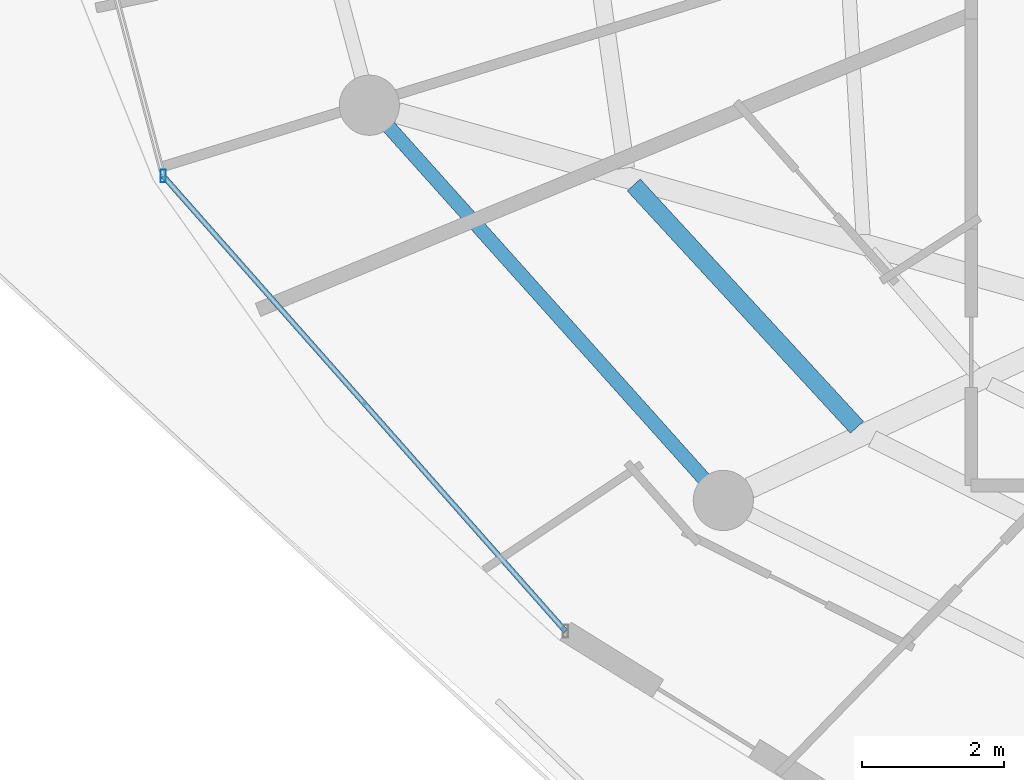
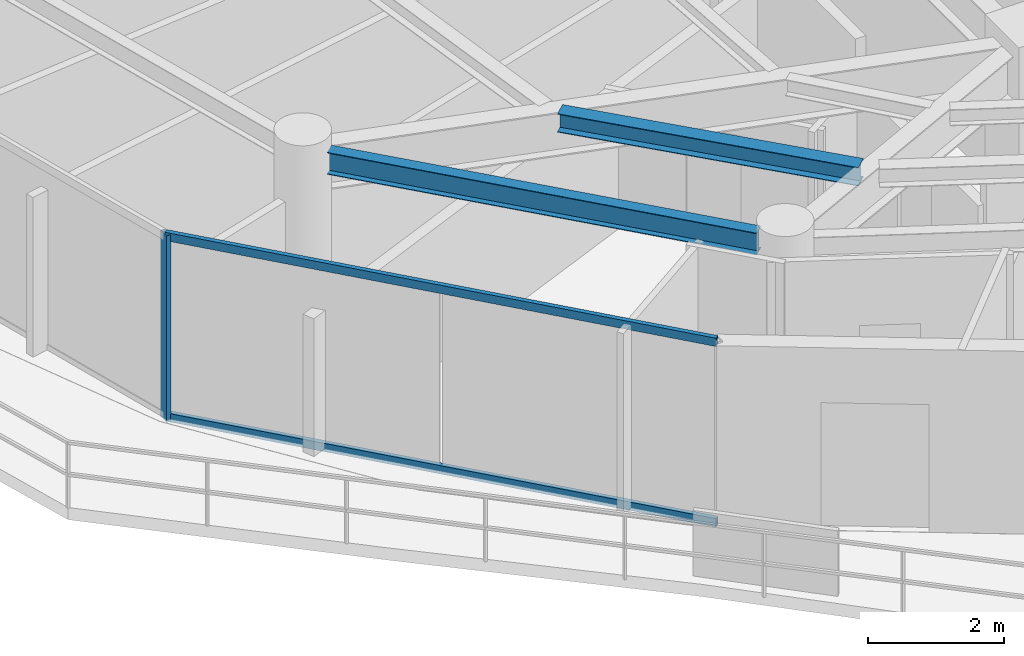
# One storey, part 3 of 31: 3 members, 2 beams, 1 element without a shape of its own.
"""IFC4 building model written with IfcOpenShell, lengths in metres."""

from ifc_helpers import new_model, si_unit, direction, frame, origin, origin_2d, place, context, subcontext, project, spatial, hollow_rectangle, i_section, extrude, material, material_profile, profile_set, type_object, element, aggregate, save


model = new_model("IFC4")

# Units and contexts
model_context = context("Model", 3, precision=1e-05, world=origin(), true_north=direction((0.0, 1.0)))
body_context = subcontext(model_context, "Body", "Model", "MODEL_VIEW")
ifc_project = project(units=[si_unit("LENGTHUNIT", "METRE"), si_unit("AREAUNIT", "SQUARE_METRE"), si_unit("VOLUMEUNIT", "CUBIC_METRE"), si_unit("PLANEANGLEUNIT", "RADIAN"), si_unit("MASSUNIT", "GRAM", prefix="KILO")], contexts=[model_context])

# Site, building, storey
site_placement = place(None, origin())
site = spatial("IfcSite", under=ifc_project, at=site_placement, CompositionType="ELEMENT")
building_placement = place(site_placement, origin())
building = spatial("IfcBuilding", under=site, at=building_placement, Name="Vorneva Point Tower", CompositionType="ELEMENT")
storey_placement = place(building_placement, frame((0.0, 0.0, 266.199951171875)))
storey = spatial("IfcBuildingStorey", under=building, at=storey_placement, Name="L72", CompositionType="ELEMENT", Elevation=266.199951171875)

# Beams
ifc_material_1 = material(Name="Steel S355", Category="steel")
ifc_material_profile_1 = material_profile(ifc_material_1, i_section(OverallWidth=0.2490234375, OverallDepth=0.333984375, WebThickness=0.008056640625, FlangeThickness=0.010986328125, at=origin_2d()), Name="35Sh1")
ifc_profile_set_1 = profile_set([ifc_material_profile_1], Name="Steel S355")
beam_type_1 = type_object("IfcBeamType", Name="BM-SEC-35Sh1", PredefinedType="BEAM", material=ifc_profile_set_1)
beam_1_placement = place(storey_placement, frame((20.4365234375, 18.292236328125, 3.123046875), z_axis=(0.677510132228, -0.735513440209, 0.0), x_axis=(0.735513440209, 0.677510132228, 0.0)))
element("IfcBeam", 1, at=beam_1_placement, inside=storey, type_object=beam_type_1, Name="L72 Secondary Floor Beam 1.10", PredefinedType="BEAM", context=body_context, shape_type="SweptSolid", body=[
    extrude(i_section(OverallWidth=0.2490234375, OverallDepth=0.333984375, WebThickness=0.008056640625, FlangeThickness=0.010986328125, at=origin_2d()), origin(), (0.0, 0.0, 1.0), 4.651123046875),
])
ifc_material_profile_2 = material_profile(ifc_material_1, i_section(OverallWidth=0.198974609375, OverallDepth=0.39599609375, WebThickness=0.007080078125, FlangeThickness=0.010986328125, at=origin_2d()), Name="40B1")
ifc_profile_set_2 = profile_set([ifc_material_profile_2], Name="Steel S355")
beam_type_2 = type_object("IfcBeamType", Name="BM-SPN-40B1", PredefinedType="SPANDREL", material=ifc_profile_set_2)
beam_2_placement = place(storey_placement, frame((16.97802734375, 19.1123046875, 3.092041015625), z_axis=(0.667108282638, -0.744960763554, 0.0), x_axis=(0.744960763554, 0.667108282638, 0.0)))
element("IfcBeam", 2, at=beam_2_placement, inside=storey, type_object=beam_type_2, Name="L72 Perimeter Spandrel Ring Beam 10", PredefinedType="SPANDREL", context=body_context, shape_type="SweptSolid", body=[
    extrude(i_section(OverallWidth=0.198974609375, OverallDepth=0.39599609375, WebThickness=0.007080078125, FlangeThickness=0.010986328125, at=origin_2d()), origin(), (0.0, 0.0, 1.0), 6.670166015625),
])

# Curtain wall, members
ifc_material_2 = material(Name="Pale anodised aluminium", Category="aluminium")
curtain_wall_type = type_object("IfcCurtainWallType", Name="CW-RES-SYS", PredefinedType="NOTDEFINED", material=ifc_material_2)
curtain_wall_placement = place(storey_placement, origin())
curtain_wall = element("IfcCurtainWall", 3, at=curtain_wall_placement, inside=storey, type_object=curtain_wall_type, Name="L72 Unitised Curtain Wall CW-L72-R03", PredefinedType="NOTDEFINED")
ifc_material_profile_3 = material_profile(ifc_material_2, hollow_rectangle(XDim=0.074951171875, YDim=0.179931640625, WallThickness=0.00390625, at=origin_2d()), Name="AL-MUL 180x75x4")
ifc_profile_set_3 = profile_set([ifc_material_profile_3], Name="Pale anodised aluminium")
member_type_1 = type_object("IfcMemberType", Name="CW-MUL-180", PredefinedType="MULLION", material=ifc_profile_set_3)
member_1_placement = place(storey_placement, frame((13.79443359375, 18.4189453125, -0.0400390625), z_axis=(0.0, 0.0, 1.0), x_axis=(1.0, 0.0, 0.0)))
member_1 = element("IfcMember", 4, at=member_1_placement, type_object=member_type_1, Name="CW-L72-R03 Mullion 04", PredefinedType="MULLION", context=body_context, shape_type="SweptSolid", body=[
    extrude(hollow_rectangle(XDim=0.074951171875, YDim=0.179931640625, WallThickness=0.00390625, at=origin_2d()), origin(), (0.0, 0.0, 1.0), 3.360107421875),
])
ifc_material_profile_4 = material_profile(ifc_material_2, hollow_rectangle(XDim=0.074951171875, YDim=0.14990234375, WallThickness=0.00390625, at=origin_2d()), Name="AL-TRN 150x75x4")
ifc_profile_set_4 = profile_set([ifc_material_profile_4], Name="Pale anodised aluminium")
member_type_2 = type_object("IfcMemberType", Name="CW-TRN-150", PredefinedType="USERDEFINED", material=ifc_profile_set_4)
member_2_placement = place(storey_placement, frame((13.79443359375, 18.4189453125, 0.02001953125), z_axis=(0.662196681357, -0.74933007093, 0.0), x_axis=(0.74933007093, 0.662196681357, 0.0)))
member_2 = element("IfcMember", 5, at=member_2_placement, type_object=member_type_2, Name="CW-L72-R03 Transom 04.1", ObjectType="TRANSOM", PredefinedType="USERDEFINED", context=body_context, shape_type="SweptSolid", body=[
    extrude(hollow_rectangle(XDim=0.074951171875, YDim=0.14990234375, WallThickness=0.00390625, at=origin_2d()), origin(), (0.0, 0.0, 1.0), 8.57666015625),
])
member_3_placement = place(storey_placement, frame((13.79443359375, 18.4189453125, 3.27001953125), z_axis=(0.662196681357, -0.74933007093, 0.0), x_axis=(0.74933007093, 0.662196681357, 0.0)))
member_3 = element("IfcMember", 6, at=member_3_placement, type_object=member_type_2, Name="CW-L72-R03 Transom 04.2", ObjectType="TRANSOM", PredefinedType="USERDEFINED", context=body_context, shape_type="SweptSolid", body=[
    extrude(hollow_rectangle(XDim=0.074951171875, YDim=0.14990234375, WallThickness=0.00390625, at=origin_2d()), origin(), (0.0, 0.0, 1.0), 8.57666015625),
])
aggregate(curtain_wall, [member_1, member_2, member_3])

save(model, "model.ifc")
